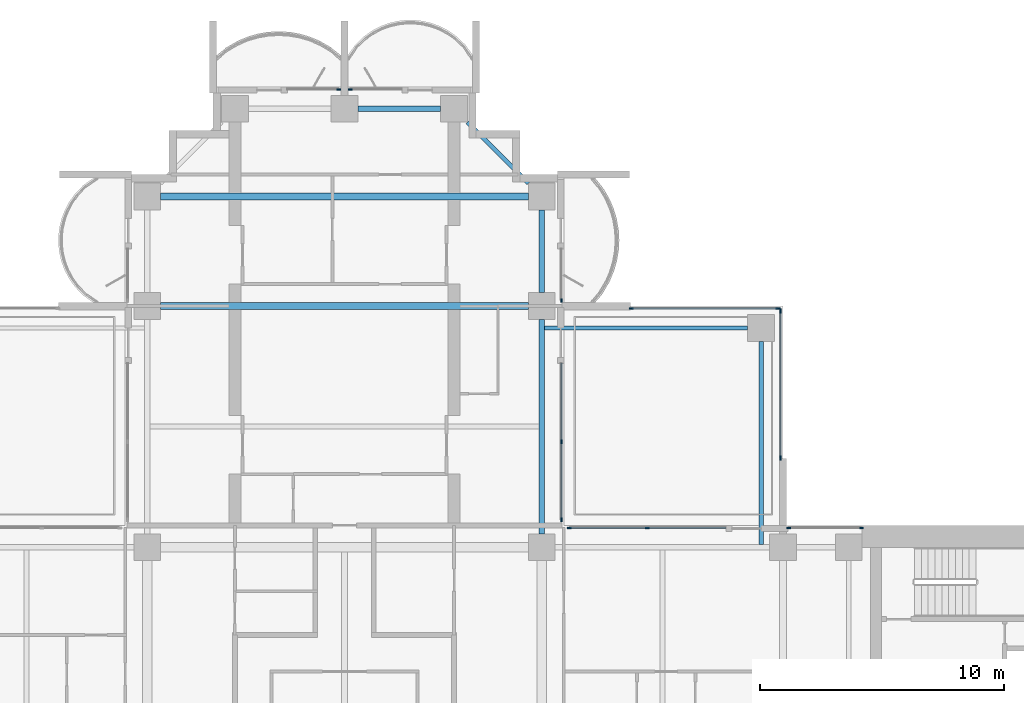
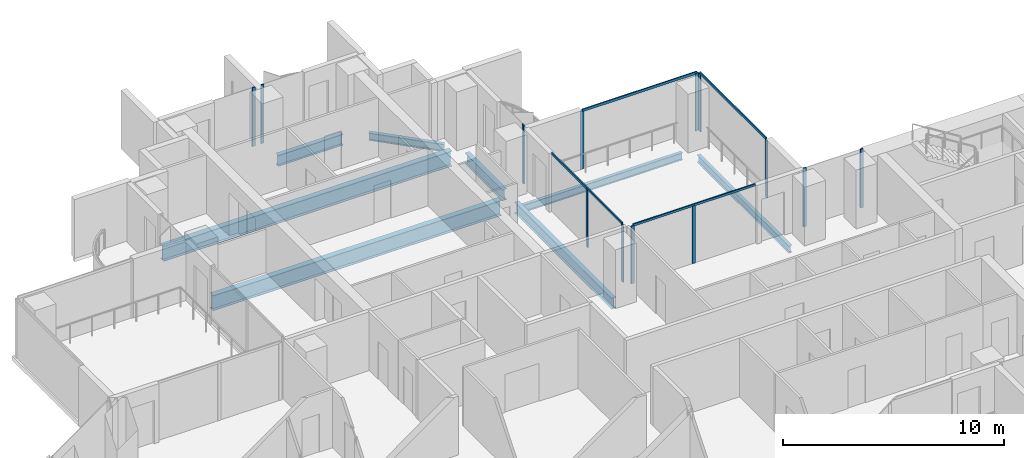
# One storey, part 6 of 18: 17 members, 8 beams, 8 elements without a shape of their own.
"""IFC4 building model written with IfcOpenShell, lengths in metres."""

from ifc_helpers import new_model, si_unit, direction, frame, origin, origin_2d, place, context, subcontext, project, spatial, rectangle, i_section, extrude, material, material_profile, profile_set, type_object, element, aggregate, save


model = new_model("IFC4")

# Units and contexts
model_context = context("Model", 3, precision=1e-05, world=origin(), true_north=direction((0.0, 1.0)))
body_context = subcontext(model_context, "Body", "Model", "MODEL_VIEW")
ifc_project = project(units=[si_unit("LENGTHUNIT", "METRE"), si_unit("AREAUNIT", "SQUARE_METRE"), si_unit("VOLUMEUNIT", "CUBIC_METRE"), si_unit("PLANEANGLEUNIT", "RADIAN"), si_unit("MASSUNIT", "GRAM", prefix="KILO")], contexts=[model_context])

# Site, building, storey
site_placement = place(None, origin())
site = spatial("IfcSite", under=ifc_project, at=site_placement, CompositionType="ELEMENT")
building_placement = place(site_placement, origin())
building = spatial("IfcBuilding", under=site, at=building_placement, Name="Perihelion Cross Residences", CompositionType="ELEMENT")
storey_placement = place(building_placement, frame((0.0, 0.0, 140.89990234375)))
storey = spatial("IfcBuildingStorey", under=building, at=storey_placement, Name="L34", CompositionType="ELEMENT", Elevation=140.89990234375)

# Curtain wall, members
ifc_material_1 = material(Name="Bronze anodised aluminium, tinted glazing", Category="aluminium")
curtain_wall_type_1 = type_object("IfcCurtainWallType", Name="CW1", PredefinedType="NOTDEFINED", material=ifc_material_1)
curtain_wall_1_placement = place(storey_placement, origin())
curtain_wall_1 = element("IfcCurtainWall", 1, at=curtain_wall_1_placement, inside=storey, type_object=curtain_wall_type_1, Name="Curtain wall CW1 L34 east side north bay 1", PredefinedType="NOTDEFINED")
ifc_material_2 = material(Name="Bronze anodised aluminium", Category="aluminium")
ifc_material_profile_1 = material_profile(ifc_material_2, rectangle(XDim=0.06005859375, YDim=0.159912109375, at=origin_2d()), Name="CW1 mullion")
ifc_profile_set_1 = profile_set([ifc_material_profile_1], Name="Bronze anodised aluminium")
member_type_1 = type_object("IfcMemberType", Name="CW1 mullion", PredefinedType="MULLION", material=ifc_profile_set_1)
member_1_placement = place(storey_placement, frame((21.219970703125, 8.89990234375, 0.0), z_axis=(0.0, 0.0, 1.0), x_axis=(0.0, -1.0, 0.0)))
member_1 = element("IfcMember", 2, at=member_1_placement, type_object=member_type_1, Name="CW1 mullion 1", PredefinedType="MULLION", context=body_context, shape_type="SweptSolid", body=[
    extrude(rectangle(XDim=0.06005859375, YDim=0.159912109375, at=origin_2d()), origin(), (0.0, 0.0, 1.0), 3.25),
])
member_2_placement = place(storey_placement, frame((18.22998046875, 8.89990234375, 0.0), z_axis=(0.0, 0.0, 1.0), x_axis=(0.0, -1.0, 0.0)))
member_2 = element("IfcMember", 3, at=member_2_placement, type_object=member_type_1, Name="CW1 mullion 2", PredefinedType="MULLION", context=body_context, shape_type="SweptSolid", body=[
    extrude(rectangle(XDim=0.06005859375, YDim=0.159912109375, at=origin_2d()), origin(), (0.0, 0.0, 1.0), 3.25),
])
aggregate(curtain_wall_1, [member_1, member_2])

curtain_wall_2_placement = place(storey_placement, origin())
curtain_wall_2 = element("IfcCurtainWall", 4, at=curtain_wall_2_placement, inside=storey, type_object=curtain_wall_type_1, Name="Curtain wall CW1 L34 east side north bay 2", PredefinedType="NOTDEFINED")
member_3_placement = place(storey_placement, frame((12.425048828125, 8.89990234375, 0.0), z_axis=(0.0, 0.0, 1.0), x_axis=(0.0, -1.0, 0.0)))
member_3 = element("IfcMember", 5, at=member_3_placement, type_object=member_type_1, Name="CW1 mullion 2", PredefinedType="MULLION", context=body_context, shape_type="SweptSolid", body=[
    extrude(rectangle(XDim=0.06005859375, YDim=0.159912109375, at=origin_2d()), origin(), (0.0, 0.0, 1.0), 3.190185546875),
])
member_4_placement = place(storey_placement, frame((9.22998046875, 8.89990234375, 0.0), z_axis=(0.0, 0.0, 1.0), x_axis=(0.0, -1.0, 0.0)))
member_4 = element("IfcMember", 6, at=member_4_placement, type_object=member_type_1, Name="CW1 mullion 3", PredefinedType="MULLION", context=body_context, shape_type="SweptSolid", body=[
    extrude(rectangle(XDim=0.06005859375, YDim=0.159912109375, at=origin_2d()), origin(), (0.0, 0.0, 1.0), 3.190185546875),
])

curtain_wall_3_placement = place(storey_placement, origin())
curtain_wall_3 = element("IfcCurtainWall", 7, at=curtain_wall_3_placement, inside=storey, type_object=curtain_wall_type_1, Name="Curtain wall CW1 L34 north side east bay 1", PredefinedType="NOTDEFINED")
member_5_placement = place(storey_placement, frame((8.89990234375, 9.22998046875, 0.0), z_axis=(0.0, 0.0, 1.0), x_axis=(-1.0, 0.0, 0.0)))
member_5 = element("IfcMember", 8, at=member_5_placement, type_object=member_type_1, Name="CW1 mullion 1", PredefinedType="MULLION", context=body_context, shape_type="SweptSolid", body=[
    extrude(rectangle(XDim=0.06005859375, YDim=0.159912109375, at=origin_2d()), origin(), (0.0, 0.0, 1.0), 3.190185546875),
])
member_6_placement = place(storey_placement, frame((8.89990234375, 12.425048828125, 0.0), z_axis=(0.0, 0.0, 1.0), x_axis=(-1.0, 0.0, 0.0)))
member_6 = element("IfcMember", 9, at=member_6_placement, type_object=member_type_1, Name="CW1 mullion 2", PredefinedType="MULLION", context=body_context, shape_type="SweptSolid", body=[
    extrude(rectangle(XDim=0.06005859375, YDim=0.159912109375, at=origin_2d()), origin(), (0.0, 0.0, 1.0), 3.190185546875),
])

# Curtain wall, member
curtain_wall_4_placement = place(storey_placement, origin())
curtain_wall_4 = element("IfcCurtainWall", 10, at=curtain_wall_4_placement, inside=storey, type_object=curtain_wall_type_1, Name="Curtain wall CW1 L34 north side east bay 2", PredefinedType="NOTDEFINED")
member_7_placement = place(storey_placement, frame((8.89990234375, 18.22998046875, 0.0), z_axis=(0.0, 0.0, 1.0), x_axis=(-1.0, 0.0, 0.0)))
member_7 = element("IfcMember", 11, at=member_7_placement, type_object=member_type_1, Name="CW1 mullion 1", PredefinedType="MULLION", context=body_context, shape_type="SweptSolid", body=[
    extrude(rectangle(XDim=0.06005859375, YDim=0.159912109375, at=origin_2d()), origin(), (0.0, 0.0, 1.0), 3.25),
])
aggregate(curtain_wall_4, [member_7])

curtain_wall_5_placement = place(storey_placement, origin())
curtain_wall_5 = element("IfcCurtainWall", 12, at=curtain_wall_5_placement, inside=storey, type_object=curtain_wall_type_1, Name="Curtain wall CW1 L34 north tip north bay 1", PredefinedType="NOTDEFINED")
member_8_placement = place(storey_placement, frame((0.22998046875, 26.89990234375, 0.0), z_axis=(0.0, 0.0, 1.0), x_axis=(0.0, -1.0, 0.0)))
member_8 = element("IfcMember", 13, at=member_8_placement, type_object=member_type_1, Name="CW1 mullion 2", PredefinedType="MULLION", context=body_context, shape_type="SweptSolid", body=[
    extrude(rectangle(XDim=0.06005859375, YDim=0.159912109375, at=origin_2d()), origin(), (0.0, 0.0, 1.0), 3.25),
])
aggregate(curtain_wall_5, [member_8])

curtain_wall_6_placement = place(storey_placement, origin())
curtain_wall_6 = element("IfcCurtainWall", 14, at=curtain_wall_6_placement, inside=storey, type_object=curtain_wall_type_1, Name="Curtain wall CW1 L34 north tip north bay 2", PredefinedType="NOTDEFINED")
member_9_placement = place(storey_placement, frame((-0.22998046875, 26.89990234375, 0.0), z_axis=(0.0, 0.0, 1.0), x_axis=(0.0, -1.0, 0.0)))
member_9 = element("IfcMember", 15, at=member_9_placement, type_object=member_type_1, Name="CW1 mullion 1", PredefinedType="MULLION", context=body_context, shape_type="SweptSolid", body=[
    extrude(rectangle(XDim=0.06005859375, YDim=0.159912109375, at=origin_2d()), origin(), (0.0, 0.0, 1.0), 3.25),
])
aggregate(curtain_wall_6, [member_9])

# Member
ifc_material_3 = material(Name="Bronze anodised aluminium", Category="aluminium")
ifc_material_profile_2 = material_profile(ifc_material_3, rectangle(XDim=0.06005859375, YDim=0.1201171875, at=origin_2d()), Name="CW1 transom")
ifc_profile_set_2 = profile_set([ifc_material_profile_2], Name="Bronze anodised aluminium")
member_type_2 = type_object("IfcMemberType", Name="CW1 transom", PredefinedType="USERDEFINED", material=ifc_profile_set_2)
member_10_placement = place(storey_placement, frame((15.64990234375, 8.89990234375, 3.22021484375), z_axis=(-1.0, 0.0, 0.0), x_axis=(0.0, -1.0, 0.0)))
member_10 = element("IfcMember", 16, at=member_10_placement, type_object=member_type_2, Name="CW1 head transom", ObjectType="TRANSOM", PredefinedType="USERDEFINED", context=body_context, shape_type="SweptSolid", body=[
    extrude(rectangle(XDim=0.06005859375, YDim=0.1201171875, at=origin_2d()), origin(), (0.0, 0.0, 1.0), 6.419921875),
])

aggregate(curtain_wall_2, [member_3, member_4, member_10])

member_11_placement = place(storey_placement, frame((8.89990234375, 9.22998046875, 3.22021484375), z_axis=(0.0, 1.0, 0.0), x_axis=(-1.0, 0.0, 0.0)))
member_11 = element("IfcMember", 17, at=member_11_placement, type_object=member_type_2, Name="CW1 head transom", ObjectType="TRANSOM", PredefinedType="USERDEFINED", context=body_context, shape_type="SweptSolid", body=[
    extrude(rectangle(XDim=0.06005859375, YDim=0.1201171875, at=origin_2d()), origin(), (0.0, 0.0, 1.0), 6.419921875),
])

aggregate(curtain_wall_3, [member_5, member_6, member_11])

# Curtain wall, members
ifc_material_4 = material(Name="Bronze anodised aluminium, tinted glazing", Category="aluminium")
curtain_wall_type_2 = type_object("IfcCurtainWallType", Name="CW4", PredefinedType="NOTDEFINED", material=ifc_material_4)
curtain_wall_7_placement = place(storey_placement, origin())
curtain_wall_7 = element("IfcCurtainWall", 18, at=curtain_wall_7_placement, inside=storey, type_object=curtain_wall_type_2, Name="Curtain wall CW4 L34 pocket north-east 1 1", PredefinedType="NOTDEFINED")
ifc_material_5 = material(Name="Bronze anodised aluminium", Category="aluminium")
ifc_material_profile_3 = material_profile(ifc_material_5, rectangle(XDim=0.06005859375, YDim=0.179931640625, at=origin_2d()), Name="CW4 mullion")
ifc_profile_set_3 = profile_set([ifc_material_profile_3], Name="Bronze anodised aluminium")
member_type_3 = type_object("IfcMemberType", Name="CW4 mullion", PredefinedType="MULLION", material=ifc_profile_set_3)
member_12_placement = place(storey_placement, frame((11.77001953125, 17.89990234375, 0.0), z_axis=(0.0, 0.0, 1.0), x_axis=(0.0, 1.0, 0.0)))
member_12 = element("IfcMember", 19, at=member_12_placement, type_object=member_type_3, Name="CW4 mullion 1", PredefinedType="MULLION", context=body_context, shape_type="SweptSolid", body=[
    extrude(rectangle(XDim=0.06005859375, YDim=0.179931640625, at=origin_2d()), origin(), (0.0, 0.0, 1.0), 3.190185546875),
])
member_13_placement = place(storey_placement, frame((17.800048828125, 17.89990234375, 0.0), z_axis=(0.0, 0.0, 1.0), x_axis=(0.0, 1.0, 0.0)))
member_13 = element("IfcMember", 20, at=member_13_placement, type_object=member_type_3, Name="CW4 mullion 2", PredefinedType="MULLION", context=body_context, shape_type="SweptSolid", body=[
    extrude(rectangle(XDim=0.06005859375, YDim=0.179931640625, at=origin_2d()), origin(), (0.0, 0.0, 1.0), 3.190185546875),
])

curtain_wall_8_placement = place(storey_placement, origin())
curtain_wall_8 = element("IfcCurtainWall", 21, at=curtain_wall_8_placement, inside=storey, type_object=curtain_wall_type_2, Name="Curtain wall CW4 L34 pocket north-east 1 2", PredefinedType="NOTDEFINED")
member_14_placement = place(storey_placement, frame((17.89990234375, 17.800048828125, 0.0), z_axis=(0.0, 0.0, 1.0), x_axis=(1.0, 0.0, 0.0)))
member_14 = element("IfcMember", 22, at=member_14_placement, type_object=member_type_3, Name="CW4 mullion 1", PredefinedType="MULLION", context=body_context, shape_type="SweptSolid", body=[
    extrude(rectangle(XDim=0.06005859375, YDim=0.179931640625, at=origin_2d()), origin(), (0.0, 0.0, 1.0), 3.190185546875),
])
member_15_placement = place(storey_placement, frame((17.89990234375, 11.77001953125, 0.0), z_axis=(0.0, 0.0, 1.0), x_axis=(1.0, 0.0, 0.0)))
member_15 = element("IfcMember", 23, at=member_15_placement, type_object=member_type_3, Name="CW4 mullion 2", PredefinedType="MULLION", context=body_context, shape_type="SweptSolid", body=[
    extrude(rectangle(XDim=0.06005859375, YDim=0.179931640625, at=origin_2d()), origin(), (0.0, 0.0, 1.0), 3.190185546875),
])

# Member
ifc_material_6 = material(Name="Bronze anodised aluminium", Category="aluminium")
ifc_material_profile_4 = material_profile(ifc_material_6, rectangle(XDim=0.06005859375, YDim=0.139892578125, at=origin_2d()), Name="CW4 transom")
ifc_profile_set_4 = profile_set([ifc_material_profile_4], Name="Bronze anodised aluminium")
member_type_4 = type_object("IfcMemberType", Name="CW4 transom", PredefinedType="USERDEFINED", material=ifc_profile_set_4)
member_16_placement = place(storey_placement, frame((11.77001953125, 17.89990234375, 3.22021484375), z_axis=(1.0, 0.0, 0.0), x_axis=(0.0, 1.0, 0.0)))
member_16 = element("IfcMember", 24, at=member_16_placement, type_object=member_type_4, Name="CW4 head transom", ObjectType="TRANSOM", PredefinedType="USERDEFINED", context=body_context, shape_type="SweptSolid", body=[
    extrude(rectangle(XDim=0.06005859375, YDim=0.139892578125, at=origin_2d()), origin(), (0.0, 0.0, 1.0), 6.030029296875),
])

aggregate(curtain_wall_7, [member_12, member_13, member_16])

member_17_placement = place(storey_placement, frame((17.89990234375, 17.800048828125, 3.22021484375), z_axis=(0.0, -1.0, 0.0), x_axis=(1.0, 0.0, 0.0)))
member_17 = element("IfcMember", 25, at=member_17_placement, type_object=member_type_4, Name="CW4 head transom", ObjectType="TRANSOM", PredefinedType="USERDEFINED", context=body_context, shape_type="SweptSolid", body=[
    extrude(rectangle(XDim=0.06005859375, YDim=0.139892578125, at=origin_2d()), origin(), (0.0, 0.0, 1.0), 6.030029296875),
])

aggregate(curtain_wall_8, [member_14, member_15, member_17])

# Beams
ifc_material_7 = material(Name="Steel S355", Category="steel")
ifc_material_profile_5 = material_profile(ifc_material_7, i_section(OverallWidth=0.177978515625, OverallDepth=0.406005859375, WebThickness=0.0078125, FlangeThickness=0.0126953125, at=origin_2d()), Name="W410x60")
ifc_profile_set_5 = profile_set([ifc_material_profile_5], Name="Steel S355")
beam_type_1 = type_object("IfcBeamType", Name="Core edge beam W410x60", PredefinedType="BEAM", material=ifc_profile_set_5)
for number, where, z_axis, x_axis, name in (
    (26, (17.10009765625, 8.214599609375, -0.452880859375), (0.0, 1.0, 0.0), (-1.0, 0.0, 0.0), "Core edge beam TB2 L34 corner no. 7"),
    (27, (8.214599609375, 17.10009765625, -0.452880859375), (1.0, 0.0, 0.0), (0.0, 1.0, 0.0), "Core edge beam TB2 L34 corner no. 8"),
):
    element("IfcBeam", number, at=place(storey_placement, frame(where, z_axis=z_axis, x_axis=x_axis)), inside=storey, type_object=beam_type_1, Name=name, PredefinedType="BEAM", context=body_context, shape_type="SweptSolid", body=[
        extrude(i_section(OverallWidth=0.177978515625, OverallDepth=0.406005859375, WebThickness=0.0078125, FlangeThickness=0.0126953125, at=origin_2d()), origin(), (0.0, 0.0, 1.0), 8.33544921875),
    ])
ifc_material_8 = material(Name="Steel S355", Category="steel")
ifc_material_profile_6 = material_profile(ifc_material_8, i_section(OverallWidth=0.22900390625, OverallDepth=0.612060546875, WebThickness=0.011962890625, FlangeThickness=0.01953125, at=origin_2d()), Name="W610x125")
ifc_profile_set_6 = profile_set([ifc_material_profile_6], Name="Steel S355")
beam_type_2 = type_object("IfcBeamType", Name="Edge beam W610x125", PredefinedType="SPANDREL", material=ifc_profile_set_6)
beam_1_placement = place(storey_placement, frame((8.10009765625, 8.64990234375, -0.555908203125), z_axis=(0.0, 1.0, 0.0), x_axis=(-1.0, 0.0, 0.0)))
element("IfcBeam", 28, at=beam_1_placement, inside=storey, type_object=beam_type_2, Name="Edge beam SB3 L34 no. 18", PredefinedType="SPANDREL", context=body_context, shape_type="SweptSolid", body=[
    extrude(i_section(OverallWidth=0.22900390625, OverallDepth=0.612060546875, WebThickness=0.011962890625, FlangeThickness=0.01953125, at=origin_2d()), origin(), (0.0, 0.0, 1.0), 8.800048828125),
])
for number, where, z_axis, x_axis, name in (
    (29, (8.10009765625, 18.550048828125, -0.555908203125), (0.0, 1.0, 0.0), (-1.0, 0.0, 0.0), "Edge beam SB3 L34 no. 17"),
    (30, (3.949951171875, 26.10009765625, -0.555908203125), (-1.0, 0.0, 0.0), (0.0, -1.0, 0.0), "Edge beam SB3 L34 no. 14"),
):
    element("IfcBeam", number, at=place(storey_placement, frame(where, z_axis=z_axis, x_axis=x_axis)), inside=storey, type_object=beam_type_2, Name=name, PredefinedType="SPANDREL", context=body_context, shape_type="SweptSolid", body=[
        extrude(i_section(OverallWidth=0.22900390625, OverallDepth=0.612060546875, WebThickness=0.011962890625, FlangeThickness=0.01953125, at=origin_2d()), origin(), (0.0, 0.0, 1.0), 3.39990234375),
    ])
ifc_material_9 = material(Name="Steel S355", Category="steel")
ifc_material_profile_7 = material_profile(ifc_material_9, i_section(OverallWidth=0.2919921875, OverallDepth=0.8359375, WebThickness=0.013916015625, FlangeThickness=0.018798828125, at=origin_2d()), Name="W840x176")
ifc_profile_set_7 = profile_set([ifc_material_profile_7], Name="Steel S355")
beam_type_3 = type_object("IfcBeamType", Name="Floor girder W840x176", PredefinedType="BEAM", material=ifc_profile_set_7)
for number, where, z_axis, x_axis, name in (
    (31, (-7.550048828125, 18.0, -0.66796875), (1.0, 0.0, 0.0), (0.0, 1.0, 0.0), "Girder G3 L34 no. 4"),
    (32, (-7.550048828125, 22.5, -0.66796875), (1.0, 0.0, 0.0), (0.0, 1.0, 0.0), "Girder G3 L34 no. 5"),
):
    element("IfcBeam", number, at=place(storey_placement, frame(where, z_axis=z_axis, x_axis=x_axis)), inside=storey, type_object=beam_type_3, Name=name, PredefinedType="BEAM", context=body_context, shape_type="SweptSolid", body=[
        extrude(i_section(OverallWidth=0.2919921875, OverallDepth=0.8359375, WebThickness=0.013916015625, FlangeThickness=0.018798828125, at=origin_2d()), origin(), (0.0, 0.0, 1.0), 15.10009765625),
    ])
ifc_material_10 = material(Name="Steel S355", Category="steel")
ifc_material_profile_8 = material_profile(ifc_material_10, i_section(OverallWidth=0.180908203125, OverallDepth=0.4169921875, WebThickness=0.010986328125, FlangeThickness=0.018310546875, at=origin_2d()), Name="W410x85")
ifc_profile_set_8 = profile_set([ifc_material_profile_8], Name="Steel S355")
beam_type_4 = type_object("IfcBeamType", Name="Serration edge beam W410x85", PredefinedType="BEAM", material=ifc_profile_set_8)
beam_2_placement = place(storey_placement, frame((7.550048828125, 23.050048828125, -0.45849609375), z_axis=(-0.707106781187, 0.707106781187, 0.0), x_axis=(-0.707106781187, -0.707106781187, 0.0)))
element("IfcBeam", 33, at=beam_2_placement, inside=storey, type_object=beam_type_4, Name="Serration edge beam EB3 L34 no. 4", PredefinedType="BEAM", context=body_context, shape_type="SweptSolid", body=[
    extrude(i_section(OverallWidth=0.180908203125, OverallDepth=0.4169921875, WebThickness=0.010986328125, FlangeThickness=0.018310546875, at=origin_2d()), origin(), (0.0, 0.0, 1.0), 3.53564453125),
])

save(model, "model.ifc")
